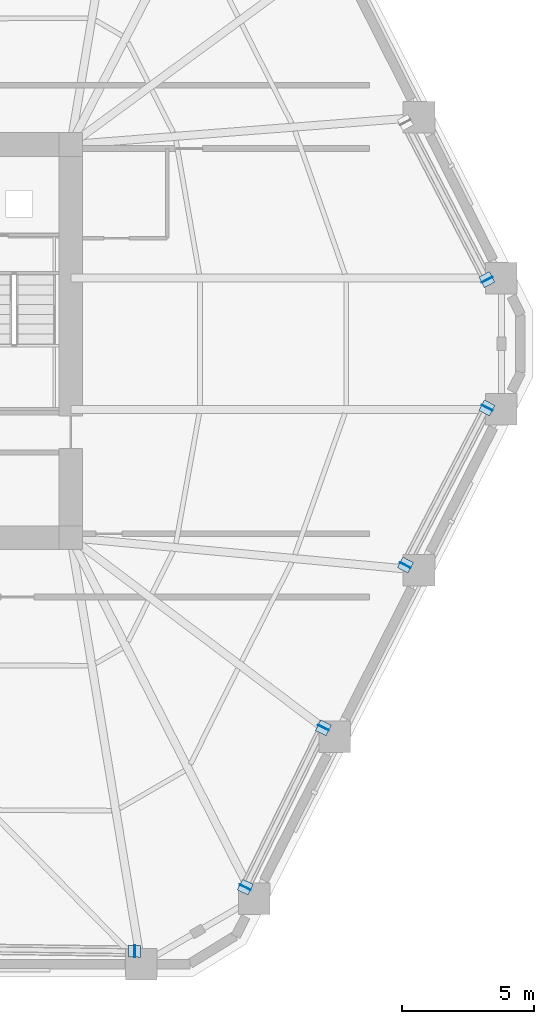
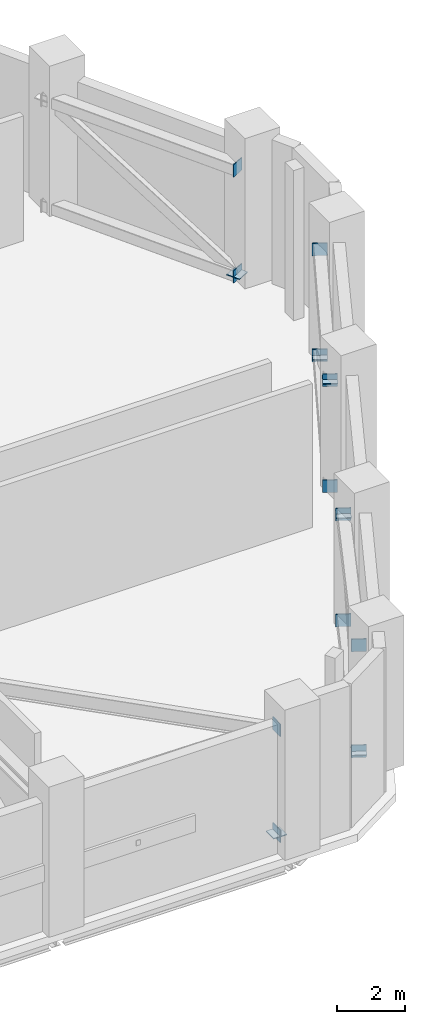
# One storey, part 8 of 19: 18 plates.
"""IFC4 building model written with IfcOpenShell, lengths in metres."""

from ifc_helpers import new_model, si_unit, direction, frame, origin, origin_2d, place, context, subcontext, project, spatial, rectangle, extrude, material, layer, layer_set, type_object, element, save


model = new_model("IFC4")

# Units and contexts
model_context = context("Model", 3, precision=1e-05, world=origin(), true_north=direction((0.0, 1.0)))
body_context = subcontext(model_context, "Body", "Model", "MODEL_VIEW")
ifc_project = project(units=[si_unit("LENGTHUNIT", "METRE"), si_unit("AREAUNIT", "SQUARE_METRE"), si_unit("VOLUMEUNIT", "CUBIC_METRE"), si_unit("PLANEANGLEUNIT", "RADIAN"), si_unit("MASSUNIT", "GRAM", prefix="KILO")], contexts=[model_context])

# Site, building, storey
site_placement = place(None, origin())
site = spatial("IfcSite", under=ifc_project, at=site_placement, CompositionType="ELEMENT")
building_placement = place(site_placement, origin())
building = spatial("IfcBuilding", under=site, at=building_placement, Name="Cinnabar Lancet Tower", CompositionType="ELEMENT")
storey_placement = place(building_placement, frame((0.0, 0.0, 74.60009765625)))
storey = spatial("IfcBuildingStorey", under=building, at=storey_placement, Name="L19", CompositionType="ELEMENT", Elevation=74.60009765625)

# Plates
ifc_material = material(Name="Structural steel S460", Category="steel")
ifc_layer = layer(ifc_material, 0.030029296875)
ifc_layer_set = layer_set([ifc_layer], Name="Structural steel S460")
plate_type = type_object("IfcPlateType", Name="STR-PL-CAP-25", PredefinedType="SHEET", material=ifc_layer_set)
for number, where, z_axis, x_axis, name in (
    (1, (44.27294921875, 2.778076171875, -0.0048828125), (0.0, 0.0, 1.0), (0.999908520976, -0.013525889243, 0.0), "Hollow section end cap plate CP-BTC-L19-1-3-BC1"),
    (2, (44.27294921875, 2.778076171875, 3.8046875), (0.0, 0.0, 1.0), (0.999908520976, -0.013525889243, 0.0), "Hollow section end cap plate CP-BTC-L19-1-3-TC1"),
):
    element("IfcPlate", number, at=place(storey_placement, frame(where, z_axis=z_axis, x_axis=x_axis)), inside=storey, type_object=plate_type, Name=name, PredefinedType="SHEET", context=body_context, shape_type="SweptSolid", body=[
        extrude(rectangle(XDim=0.030029296875, YDim=0.449951171875, at=origin_2d()), origin(), (0.0, 0.0, 1.0), 0.449951171875),
    ])
plate_1_placement = place(storey_placement, frame((44.264892578125, 2.778076171875, 0.19482421875), z_axis=(0.0, 0.0, 1.0), x_axis=(0.999908520976, -0.013525889243, 0.0)))
element("IfcPlate", 3, at=plate_1_placement, inside=storey, type_object=plate_type, Name="Hollow section end cap plate CP-BTD-L19-1-3-1", PredefinedType="SHEET", context=body_context, shape_type="SweptSolid", body=[
    extrude(rectangle(XDim=0.449951171875, YDim=0.449951171875, at=origin_2d()), origin(), (0.0, 0.0, 1.0), 0.030029296875),
])
for number, where, z_axis, x_axis, name in (
    (4, (48.4609375, 5.199951171875, -0.0048828125), (0.0, 0.0, 1.0), (-0.439939169856, -0.898027575761, 0.0), "Hollow section end cap plate CP-BTC-L19-2-1-BC0"),
    (5, (51.426025390625, 11.25, -0.0048828125), (0.0, 0.0, 1.0), (0.439939169856, 0.898027575761, 0.0), "Hollow section end cap plate CP-BTC-L19-2-1-BC1"),
    (6, (48.4609375, 5.199951171875, 3.8046875), (0.0, 0.0, 1.0), (-0.439939169856, -0.898027575761, 0.0), "Hollow section end cap plate CP-BTC-L19-2-1-TC0"),
    (7, (51.426025390625, 11.25, 3.8046875), (0.0, 0.0, 1.0), (0.439939169856, 0.898027575761, 0.0), "Hollow section end cap plate CP-BTC-L19-2-1-TC1"),
):
    element("IfcPlate", number, at=place(storey_placement, frame(where, z_axis=z_axis, x_axis=x_axis)), inside=storey, type_object=plate_type, Name=name, PredefinedType="SHEET", context=body_context, shape_type="SweptSolid", body=[
        extrude(rectangle(XDim=0.030029296875, YDim=0.449951171875, at=origin_2d()), origin(), (0.0, 0.0, 1.0), 0.449951171875),
    ])
for number, where, z_axis, x_axis, name in (
    (8, (48.465087890625, 5.20703125, 0.19482421875), (0.0, 0.0, 1.0), (-0.439939169856, -0.898027575761, 0.0), "Hollow section end cap plate CP-BTD-L19-2-1-0"),
    (9, (51.422119140625, 11.242919921875, 4.02490234375), (0.0, 0.0, 1.0), (0.439939169856, 0.898027575761, 0.0), "Hollow section end cap plate CP-BTD-L19-2-1-1"),
):
    element("IfcPlate", number, at=place(storey_placement, frame(where, z_axis=z_axis, x_axis=x_axis)), inside=storey, type_object=plate_type, Name=name, PredefinedType="SHEET", context=body_context, shape_type="SweptSolid", body=[
        extrude(rectangle(XDim=0.449951171875, YDim=0.449951171875, at=origin_2d()), origin(), (0.0, 0.0, 1.0), 0.030029296875),
    ])
for number, where, z_axis, x_axis, name in (
    (10, (54.528076171875, 17.407958984375, -0.0048828125), (0.0, 0.0, 1.0), (-0.460649089564, -0.887582343382, 0.0), "Hollow section end cap plate CP-BTC-L19-2-3-BC0"),
    (11, (57.625, 23.3740234375, -0.0048828125), (0.0, 0.0, 1.0), (0.460649089564, 0.887582343382, 0.0), "Hollow section end cap plate CP-BTC-L19-2-3-BC1"),
    (12, (54.528076171875, 17.407958984375, 3.8046875), (0.0, 0.0, 1.0), (-0.460649089564, -0.887582343382, 0.0), "Hollow section end cap plate CP-BTC-L19-2-3-TC0"),
    (13, (57.625, 23.3740234375, 3.8046875), (0.0, 0.0, 1.0), (0.460649089564, 0.887582343382, 0.0), "Hollow section end cap plate CP-BTC-L19-2-3-TC1"),
):
    element("IfcPlate", number, at=place(storey_placement, frame(where, z_axis=z_axis, x_axis=x_axis)), inside=storey, type_object=plate_type, Name=name, PredefinedType="SHEET", context=body_context, shape_type="SweptSolid", body=[
        extrude(rectangle(XDim=0.030029296875, YDim=0.449951171875, at=origin_2d()), origin(), (0.0, 0.0, 1.0), 0.449951171875),
    ])
for number, where, z_axis, x_axis, name in (
    (14, (54.531982421875, 17.4150390625, 4.02490234375), (0.0, 0.0, 1.0), (-0.460649089564, -0.887582343382, 0.0), "Hollow section end cap plate CP-BTD-L19-2-3-0"),
    (15, (57.62109375, 23.366943359375, 0.19482421875), (0.0, 0.0, 1.0), (0.460649089564, 0.887582343382, 0.0), "Hollow section end cap plate CP-BTD-L19-2-3-1"),
):
    element("IfcPlate", number, at=place(storey_placement, frame(where, z_axis=z_axis, x_axis=x_axis)), inside=storey, type_object=plate_type, Name=name, PredefinedType="SHEET", context=body_context, shape_type="SweptSolid", body=[
        extrude(rectangle(XDim=0.449951171875, YDim=0.449951171875, at=origin_2d()), origin(), (0.0, 0.0, 1.0), 0.030029296875),
    ])
for number, where, z_axis, x_axis, name in (
    (16, (57.625, 28.22607421875, -0.0048828125), (0.0, 0.0, 1.0), (0.460649089564, -0.887582343382, 0.0), "Hollow section end cap plate CP-BTC-L19-3-1-BC0"),
    (17, (57.625, 28.22607421875, 3.8046875), (0.0, 0.0, 1.0), (0.460649089564, -0.887582343382, 0.0), "Hollow section end cap plate CP-BTC-L19-3-1-TC0"),
):
    element("IfcPlate", number, at=place(storey_placement, frame(where, z_axis=z_axis, x_axis=x_axis)), inside=storey, type_object=plate_type, Name=name, PredefinedType="SHEET", context=body_context, shape_type="SweptSolid", body=[
        extrude(rectangle(XDim=0.030029296875, YDim=0.449951171875, at=origin_2d()), origin(), (0.0, 0.0, 1.0), 0.449951171875),
    ])
plate_2_placement = place(storey_placement, frame((57.62109375, 28.23291015625, 0.19482421875), z_axis=(0.0, 0.0, 1.0), x_axis=(0.460649089564, -0.887582343382, 0.0)))
element("IfcPlate", 18, at=plate_2_placement, inside=storey, type_object=plate_type, Name="Hollow section end cap plate CP-BTD-L19-3-1-0", PredefinedType="SHEET", context=body_context, shape_type="SweptSolid", body=[
    extrude(rectangle(XDim=0.449951171875, YDim=0.449951171875, at=origin_2d()), origin(), (0.0, 0.0, 1.0), 0.030029296875),
])

save(model, "model.ifc")
